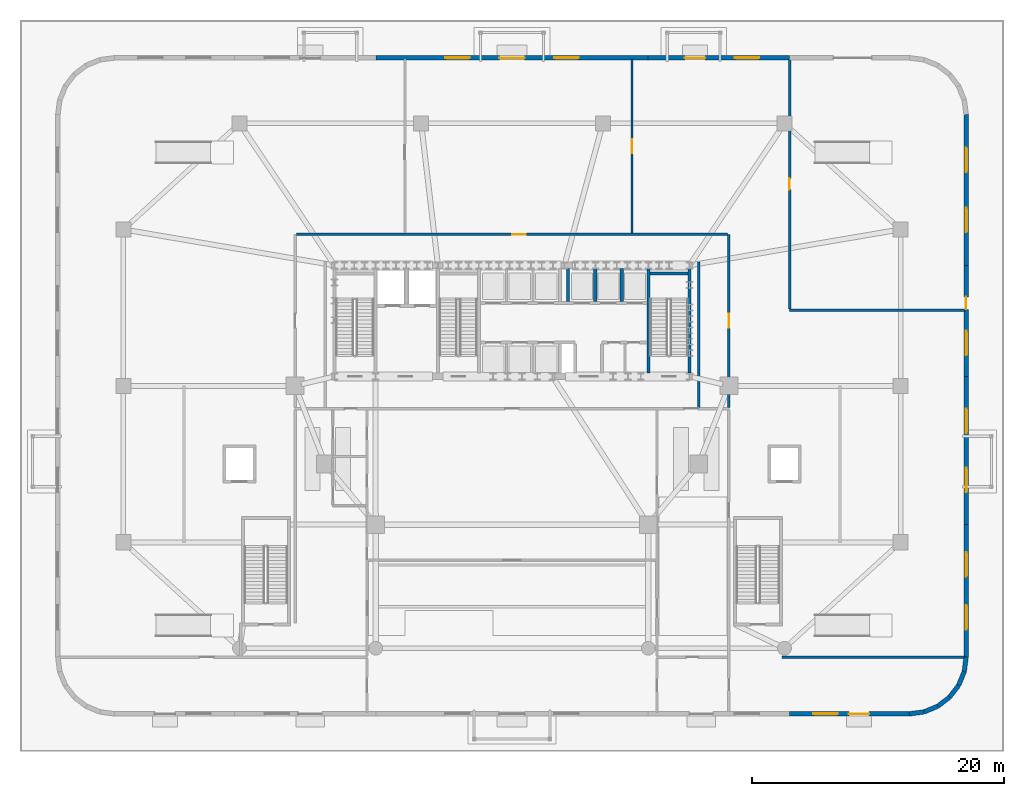
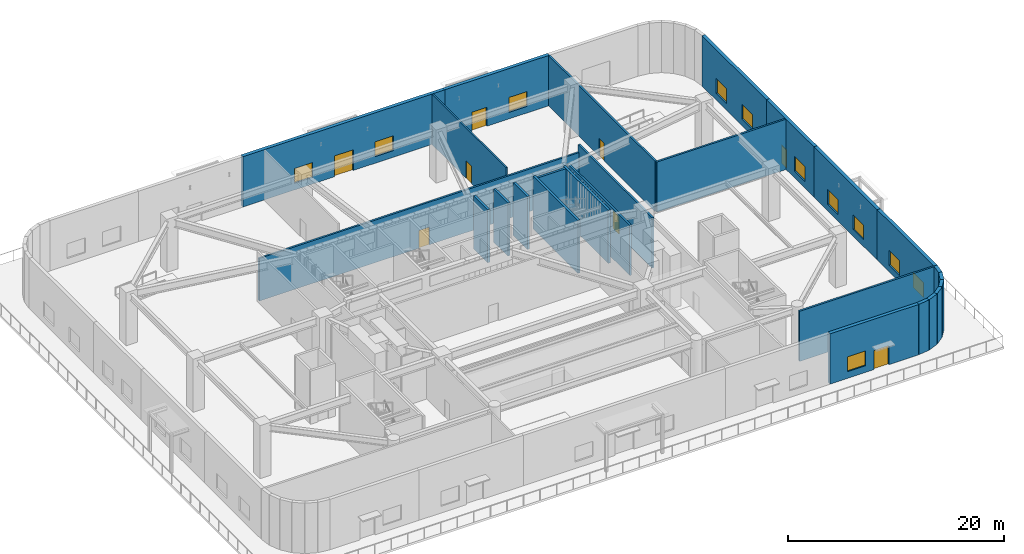
# One storey, part 11 of 21: 26 walls, 11 windows, 8 doors, 19 openings.
"""IFC4 building model written with IfcOpenShell, lengths in metres."""

from ifc_helpers import new_model, si_unit, direction, frame, frame_2d, origin, place, context, subcontext, project, spatial, rectangle, extrude, material, layer, layer_set, type_object, element, fill, save


model = new_model("IFC4")

# Units and contexts
model_context = context("Model", 3, precision=1e-05, world=origin(), true_north=direction((0.0, 1.0)))
body_context = subcontext(model_context, "Body", "Model", "MODEL_VIEW")
ifc_project = project(units=[si_unit("LENGTHUNIT", "METRE"), si_unit("AREAUNIT", "SQUARE_METRE"), si_unit("VOLUMEUNIT", "CUBIC_METRE"), si_unit("PLANEANGLEUNIT", "RADIAN"), si_unit("MASSUNIT", "GRAM", prefix="KILO")], contexts=[model_context])

# Site, building, storey
site_placement = place(None, origin())
site = spatial("IfcSite", under=ifc_project, at=site_placement, CompositionType="ELEMENT")
building_placement = place(site_placement, origin())
building = spatial("IfcBuilding", under=site, at=building_placement, Name="Haldorwick Loom Tower", CompositionType="ELEMENT")
storey_placement = place(building_placement, origin())
storey = spatial("IfcBuildingStorey", under=building, at=storey_placement, Name="L00", CompositionType="ELEMENT", Elevation=0.0)

# Walls
ifc_material_1 = material(Name="Pressed Clay Face Brick and Insulated Masonry Backup Assembly", Category="masonry")
ifc_layer_1 = layer(ifc_material_1, 0.360107421875, Name="Pressed Clay Face Brick and Insulated Masonry Backup Assembly", Category="masonry")
ifc_layer_set_1 = layer_set([ifc_layer_1], Name="Pressed Clay Face Brick and Insulated Masonry Backup Assembly")
wall_type_1 = type_object("IfcWallType", Name="ARC-WL-EXT360", PredefinedType="STANDARD", material=ifc_layer_set_1)
wall_1_placement = place(storey_placement, frame((67.5, 0.0, 0.0), z_axis=(0.0, 0.0, 1.0), x_axis=(0.991447928588, 0.130502892298, 0.0)))
element("IfcWall", 1, at=wall_1_placement, inside=storey, type_object=wall_type_1, Name="L00 Brick Pier and Spandrel Wall 1", PredefinedType="STANDARD", context=body_context, shape_type="SweptSolid", body=[
    extrude(rectangle(XDim=1.1748046875, YDim=0.360107421875, at=frame_2d((0.58740234375, 0.0))), origin(), (0.0, 0.0, 1.0), 5.699951171875),
])
wall_2_placement = place(storey_placement, frame((68.664794921875, 0.1533203125, 0.0), z_axis=(0.0, 0.0, 1.0), x_axis=(0.923892706888, 0.382651625058, 0.0)))
element("IfcWall", 2, at=wall_2_placement, inside=storey, type_object=wall_type_1, Name="L00 Brick Pier and Spandrel Wall 2", PredefinedType="STANDARD", context=body_context, shape_type="SweptSolid", body=[
    extrude(rectangle(XDim=1.174560546875, YDim=0.360107421875, at=frame_2d((0.58740234375, 0.0))), origin(), (0.0, 0.0, 1.0), 5.699951171875),
])
for number, where, z_axis, x_axis, name in (
    (3, (69.75, 0.602783203125, 0.0), (0.0, 0.0, 1.0), (0.79324162823, 0.60890698735, 0.0), "L00 Brick Pier and Spandrel Wall 3"),
    (4, (70.681884765625, 1.318115234375, 0.0), (0.0, 0.0, 1.0), (0.60890698735, 0.79324162823, 0.0), "L00 Brick Pier and Spandrel Wall 4"),
):
    element("IfcWall", number, at=place(storey_placement, frame(where, z_axis=z_axis, x_axis=x_axis)), inside=storey, type_object=wall_type_1, Name=name, PredefinedType="STANDARD", context=body_context, shape_type="SweptSolid", body=[
        extrude(rectangle(XDim=1.1748046875, YDim=0.360107421875, at=frame_2d((0.58740234375, 0.0))), origin(), (0.0, 0.0, 1.0), 5.699951171875),
    ])
wall_3_placement = place(storey_placement, frame((71.397216796875, 2.25, 0.0), z_axis=(0.0, 0.0, 1.0), x_axis=(0.382651625058, 0.923892706888, 0.0)))
element("IfcWall", 5, at=wall_3_placement, inside=storey, type_object=wall_type_1, Name="L00 Brick Pier and Spandrel Wall 5", PredefinedType="STANDARD", context=body_context, shape_type="SweptSolid", body=[
    extrude(rectangle(XDim=1.174560546875, YDim=0.360107421875, at=frame_2d((0.58740234375, 0.0))), origin(), (0.0, 0.0, 1.0), 5.699951171875),
])
wall_4_placement = place(storey_placement, frame((71.8466796875, 3.335205078125, 0.0), z_axis=(0.0, 0.0, 1.0), x_axis=(0.130502892298, 0.991447928588, 0.0)))
element("IfcWall", 6, at=wall_4_placement, inside=storey, type_object=wall_type_1, Name="L00 Brick Pier and Spandrel Wall 6", PredefinedType="STANDARD", context=body_context, shape_type="SweptSolid", body=[
    extrude(rectangle(XDim=1.1748046875, YDim=0.360107421875, at=frame_2d((0.58740234375, 0.0))), origin(), (0.0, 0.0, 1.0), 5.699951171875),
])

# Wall, openings, windows
wall_5_placement = place(storey_placement, frame((72.0, 4.5, 0.0), z_axis=(0.0, 0.0, 1.0), x_axis=(0.0, 1.0, 0.0)))
wall_5 = element("IfcWall", 7, at=wall_5_placement, inside=storey, type_object=wall_type_1, Name="L00 Brick Pier and Spandrel Wall 7", PredefinedType="STANDARD", context=body_context, shape_type="SweptSolid", body=[
    extrude(rectangle(XDim=10.5, YDim=0.360107421875, at=frame_2d((5.25, 0.0))), origin(), (0.0, 0.0, 1.0), 5.699951171875),
])
opening_1_placement = place(wall_5_placement, frame((2.175048828125, 0.0, 0.75)))
opening_1 = element("IfcOpeningElement", 8, at=opening_1_placement, cuts=wall_5, Name="Opening W-04B", PredefinedType="OPENING", context=body_context, shape_type="SweptSolid", body=[
    extrude(rectangle(XDim=1.949951171875, YDim=1.679931640625, at=frame_2d((0.97509765625, 0.83984375))), frame((0.0, 0.18994140625, 0.0), z_axis=(0.0, -1.0, 0.0), x_axis=(1.0, 0.0, 0.0)), (0.0, 0.0, 1.0), 0.380126953125),
])
opening_2_placement = place(wall_5_placement, frame((6.375, 0.0, 0.75)))
opening_2 = element("IfcOpeningElement", 9, at=opening_2_placement, cuts=wall_5, Name="Opening W-04B", PredefinedType="OPENING", context=body_context, shape_type="SweptSolid", body=[
    extrude(rectangle(XDim=1.949951171875, YDim=1.679931640625, at=frame_2d((0.97509765625, 0.83984375))), frame((0.0, 0.18994140625, 0.0), z_axis=(0.0, -1.0, 0.0), x_axis=(1.0, 0.0, 0.0)), (0.0, 0.0, 1.0), 0.380126953125),
])
ifc_material_2 = material(Name="Triple-Glazed Low-E Argon Insulated Glazing Unit", Category="glass")
window_type = type_object("IfcWindowType", Name="ARC-WIN-W195", PartitioningType="SINGLE_PANEL", PredefinedType="WINDOW", material=ifc_material_2)
window_1_placement = place(opening_1_placement, origin())
window_1 = element("IfcWindow", 10, at=window_1_placement, inside=storey, type_object=window_type, Name="L00 Deep-Set Zone 7A Window 7", OverallHeight=1.679931640625, OverallWidth=1.949951171875, PartitioningType="SINGLE_PANEL", PredefinedType="WINDOW", context=body_context, shape_type="SweptSolid", body=[
    extrude(rectangle(XDim=1.949951171875, YDim=1.679931640625, at=frame_2d((0.97509765625, 0.83984375))), frame((0.0, 0.030029296875, 0.0), z_axis=(0.0, -1.0, 0.0), x_axis=(1.0, 0.0, 0.0)), (0.0, 0.0, 1.0), 0.06005859375),
])
fill(opening_1, window_1)
window_2_placement = place(opening_2_placement, origin())
window_2 = element("IfcWindow", 11, at=window_2_placement, inside=storey, type_object=window_type, Name="L00 Deep-Set Zone 7A Window 7", OverallHeight=1.679931640625, OverallWidth=1.949951171875, PartitioningType="SINGLE_PANEL", PredefinedType="WINDOW", context=body_context, shape_type="SweptSolid", body=[
    extrude(rectangle(XDim=1.949951171875, YDim=1.679931640625, at=frame_2d((0.97509765625, 0.83984375))), frame((0.0, 0.030029296875, 0.0), z_axis=(0.0, -1.0, 0.0), x_axis=(1.0, 0.0, 0.0)), (0.0, 0.0, 1.0), 0.06005859375),
])
fill(opening_2, window_2)

wall_6_placement = place(storey_placement, frame((72.0, 15.0, 0.0), z_axis=(0.0, 0.0, 1.0), x_axis=(0.0, 1.0, 0.0)))
wall_6 = element("IfcWall", 12, at=wall_6_placement, inside=storey, type_object=wall_type_1, Name="L00 Brick Pier and Spandrel Wall 8", PredefinedType="STANDARD", context=body_context, shape_type="SweptSolid", body=[
    extrude(rectangle(XDim=11.75, YDim=0.360107421875, at=frame_2d((5.875, 0.0))), origin(), (0.0, 0.0, 1.0), 5.699951171875),
])
opening_3_placement = place(wall_6_placement, frame((2.550048828125, 0.0, 0.75)))
opening_3 = element("IfcOpeningElement", 13, at=opening_3_placement, cuts=wall_6, Name="Opening W-04B", PredefinedType="OPENING", context=body_context, shape_type="SweptSolid", body=[
    extrude(rectangle(XDim=1.949951171875, YDim=1.679931640625, at=frame_2d((0.97509765625, 0.83984375))), frame((0.0, 0.18994140625, 0.0), z_axis=(0.0, -1.0, 0.0), x_axis=(1.0, 0.0, 0.0)), (0.0, 0.0, 1.0), 0.380126953125),
])
opening_4_placement = place(wall_6_placement, frame((7.25, 0.0, 0.75)))
opening_4 = element("IfcOpeningElement", 14, at=opening_4_placement, cuts=wall_6, Name="Opening W-04B", PredefinedType="OPENING", context=body_context, shape_type="SweptSolid", body=[
    extrude(rectangle(XDim=1.949951171875, YDim=1.679931640625, at=frame_2d((0.97509765625, 0.83984375))), frame((0.0, 0.18994140625, 0.0), z_axis=(0.0, -1.0, 0.0), x_axis=(1.0, 0.0, 0.0)), (0.0, 0.0, 1.0), 0.380126953125),
])
window_3_placement = place(opening_3_placement, origin())
window_3 = element("IfcWindow", 15, at=window_3_placement, inside=storey, type_object=window_type, Name="L00 Deep-Set Zone 7A Window 8", OverallHeight=1.679931640625, OverallWidth=1.949951171875, PartitioningType="SINGLE_PANEL", PredefinedType="WINDOW", context=body_context, shape_type="SweptSolid", body=[
    extrude(rectangle(XDim=1.949951171875, YDim=1.679931640625, at=frame_2d((0.97509765625, 0.83984375))), frame((0.0, 0.030029296875, 0.0), z_axis=(0.0, -1.0, 0.0), x_axis=(1.0, 0.0, 0.0)), (0.0, 0.0, 1.0), 0.06005859375),
])
fill(opening_3, window_3)
window_4_placement = place(opening_4_placement, origin())
window_4 = element("IfcWindow", 16, at=window_4_placement, inside=storey, type_object=window_type, Name="L00 Deep-Set Zone 7A Window 8", OverallHeight=1.679931640625, OverallWidth=1.949951171875, PartitioningType="SINGLE_PANEL", PredefinedType="WINDOW", context=body_context, shape_type="SweptSolid", body=[
    extrude(rectangle(XDim=1.949951171875, YDim=1.679931640625, at=frame_2d((0.97509765625, 0.83984375))), frame((0.0, 0.030029296875, 0.0), z_axis=(0.0, -1.0, 0.0), x_axis=(1.0, 0.0, 0.0)), (0.0, 0.0, 1.0), 0.06005859375),
])
fill(opening_4, window_4)

# Wall, openings, door, window
wall_7_placement = place(storey_placement, frame((72.0, 26.75, 0.0), z_axis=(0.0, 0.0, 1.0), x_axis=(0.0, 1.0, 0.0)))
wall_7 = element("IfcWall", 17, at=wall_7_placement, inside=storey, type_object=wall_type_1, Name="L00 Brick Pier and Spandrel Wall 9", PredefinedType="STANDARD", context=body_context, shape_type="SweptSolid", body=[
    extrude(rectangle(XDim=8.800048828125, YDim=0.360107421875, at=frame_2d((4.39990234375, 0.0))), origin(), (0.0, 0.0, 1.0), 5.699951171875),
])
opening_5_placement = place(wall_7_placement, frame((5.30615234375, 0.0, 0.0)))
opening_5 = element("IfcOpeningElement", 18, at=opening_5_placement, cuts=wall_7, Name="Opening D-BL10", PredefinedType="OPENING", context=body_context, shape_type="SweptSolid", body=[
    extrude(rectangle(XDim=1.0, YDim=2.0400390625, at=frame_2d((0.5, 1.02001953125))), frame((0.0, 0.18994140625, 0.0), z_axis=(0.0, -1.0, 0.0), x_axis=(1.0, 0.0, 0.0)), (0.0, 0.0, 1.0), 0.380126953125),
])
opening_6_placement = place(wall_7_placement, frame((1.6650390625, 0.0, 0.75)))
opening_6 = element("IfcOpeningElement", 19, at=opening_6_placement, cuts=wall_7, Name="Opening W-04B", PredefinedType="OPENING", context=body_context, shape_type="SweptSolid", body=[
    extrude(rectangle(XDim=1.949951171875, YDim=1.679931640625, at=frame_2d((0.97509765625, 0.83984375))), frame((0.0, 0.18994140625, 0.0), z_axis=(0.0, -1.0, 0.0), x_axis=(1.0, 0.0, 0.0)), (0.0, 0.0, 1.0), 0.380126953125),
])
ifc_material_3 = material(Name="Thermally Broken Anodized Aluminium Curtain Wall Framing", Category="aluminium")
door_type_1 = type_object("IfcDoorType", Name="ARC-DR-BAL100", OperationType="NOTDEFINED", PredefinedType="DOOR", material=ifc_material_3)
door_1_placement = place(opening_5_placement, origin())
door_1 = element("IfcDoor", 20, at=door_1_placement, inside=storey, type_object=door_type_1, Name="L00 Outdoor Terrace Door SLB-L00-APRON", OperationType="SINGLE_SWING_LEFT", OverallHeight=2.0400390625, OverallWidth=1.0, PredefinedType="DOOR", context=body_context, shape_type="SweptSolid", body=[
    extrude(rectangle(XDim=1.0, YDim=2.0400390625, at=frame_2d((0.5, 1.02001953125))), frame((0.0, 0.02490234375, 0.0), z_axis=(0.0, -1.0, 0.0), x_axis=(1.0, 0.0, 0.0)), (0.0, 0.0, 1.0), 0.050048828125),
])
fill(opening_5, door_1)
window_5_placement = place(opening_6_placement, origin())
window_5 = element("IfcWindow", 21, at=window_5_placement, inside=storey, type_object=window_type, Name="L00 Deep-Set Zone 7A Window 9", OverallHeight=1.679931640625, OverallWidth=1.949951171875, PartitioningType="SINGLE_PANEL", PredefinedType="WINDOW", context=body_context, shape_type="SweptSolid", body=[
    extrude(rectangle(XDim=1.949951171875, YDim=1.679931640625, at=frame_2d((0.97509765625, 0.83984375))), frame((0.0, 0.030029296875, 0.0), z_axis=(0.0, -1.0, 0.0), x_axis=(1.0, 0.0, 0.0)), (0.0, 0.0, 1.0), 0.06005859375),
])
fill(opening_6, window_5)

# Wall, openings, windows
wall_8_placement = place(storey_placement, frame((72.0, 35.550048828125, 0.0), z_axis=(0.0, 0.0, 1.0), x_axis=(0.0, 1.0, 0.0)))
wall_8 = element("IfcWall", 22, at=wall_8_placement, inside=storey, type_object=wall_type_1, Name="L00 Brick Pier and Spandrel Wall 10", PredefinedType="STANDARD", context=body_context, shape_type="SweptSolid", body=[
    extrude(rectangle(XDim=11.949951171875, YDim=0.360107421875, at=frame_2d((5.97509765625, 0.0))), origin(), (0.0, 0.0, 1.0), 5.699951171875),
])
opening_7_placement = place(wall_8_placement, frame((2.610107421875, 0.0, 0.75)))
opening_7 = element("IfcOpeningElement", 23, at=opening_7_placement, cuts=wall_8, Name="Opening W-04B", PredefinedType="OPENING", context=body_context, shape_type="SweptSolid", body=[
    extrude(rectangle(XDim=1.949951171875, YDim=1.679931640625, at=frame_2d((0.97509765625, 0.83984375))), frame((0.0, 0.18994140625, 0.0), z_axis=(0.0, -1.0, 0.0), x_axis=(1.0, 0.0, 0.0)), (0.0, 0.0, 1.0), 0.380126953125),
])
opening_8_placement = place(wall_8_placement, frame((7.389892578125, 0.0, 0.75)))
opening_8 = element("IfcOpeningElement", 24, at=opening_8_placement, cuts=wall_8, Name="Opening W-04B", PredefinedType="OPENING", context=body_context, shape_type="SweptSolid", body=[
    extrude(rectangle(XDim=1.949951171875, YDim=1.679931640625, at=frame_2d((0.97509765625, 0.83984375))), frame((0.0, 0.18994140625, 0.0), z_axis=(0.0, -1.0, 0.0), x_axis=(1.0, 0.0, 0.0)), (0.0, 0.0, 1.0), 0.380126953125),
])
window_6_placement = place(opening_7_placement, origin())
window_6 = element("IfcWindow", 25, at=window_6_placement, inside=storey, type_object=window_type, Name="L00 Deep-Set Zone 7A Window 10", OverallHeight=1.679931640625, OverallWidth=1.949951171875, PartitioningType="SINGLE_PANEL", PredefinedType="WINDOW", context=body_context, shape_type="SweptSolid", body=[
    extrude(rectangle(XDim=1.949951171875, YDim=1.679931640625, at=frame_2d((0.97509765625, 0.83984375))), frame((0.0, 0.030029296875, 0.0), z_axis=(0.0, -1.0, 0.0), x_axis=(1.0, 0.0, 0.0)), (0.0, 0.0, 1.0), 0.06005859375),
])
fill(opening_7, window_6)
window_7_placement = place(opening_8_placement, origin())
window_7 = element("IfcWindow", 26, at=window_7_placement, inside=storey, type_object=window_type, Name="L00 Deep-Set Zone 7A Window 10", OverallHeight=1.679931640625, OverallWidth=1.949951171875, PartitioningType="SINGLE_PANEL", PredefinedType="WINDOW", context=body_context, shape_type="SweptSolid", body=[
    extrude(rectangle(XDim=1.949951171875, YDim=1.679931640625, at=frame_2d((0.97509765625, 0.83984375))), frame((0.0, 0.030029296875, 0.0), z_axis=(0.0, -1.0, 0.0), x_axis=(1.0, 0.0, 0.0)), (0.0, 0.0, 1.0), 0.06005859375),
])
fill(opening_8, window_7)

# Wall, openings, door, window
wall_9_placement = place(storey_placement, frame((58.0, 52.0, 0.0), z_axis=(0.0, 0.0, 1.0), x_axis=(-1.0, 0.0, 0.0)))
wall_9 = element("IfcWall", 27, at=wall_9_placement, inside=storey, type_object=wall_type_1, Name="L00 Brick Pier and Spandrel Wall 18", PredefinedType="STANDARD", context=body_context, shape_type="SweptSolid", body=[
    extrude(rectangle(XDim=11.199951171875, YDim=0.360107421875, at=frame_2d((5.60009765625, 0.0))), origin(), (0.0, 0.0, 1.0), 5.699951171875),
])
opening_9_placement = place(wall_9_placement, frame((6.699951171875, 0.0, 0.0)))
opening_9 = element("IfcOpeningElement", 28, at=opening_9_placement, cuts=wall_9, Name="Opening D-EX16", PredefinedType="OPENING", context=body_context, shape_type="SweptSolid", body=[
    extrude(rectangle(XDim=1.60009765625, YDim=2.14990234375, at=frame_2d((0.800048828125, 1.074951171875))), frame((0.0, 0.18994140625, 0.0), z_axis=(0.0, -1.0, 0.0), x_axis=(1.0, 0.0, 0.0)), (0.0, 0.0, 1.0), 0.380126953125),
])
opening_10_placement = place(wall_9_placement, frame((2.385009765625, 0.0, 0.75)))
opening_10 = element("IfcOpeningElement", 29, at=opening_10_placement, cuts=wall_9, Name="Opening W-04B", PredefinedType="OPENING", context=body_context, shape_type="SweptSolid", body=[
    extrude(rectangle(XDim=1.949951171875, YDim=1.679931640625, at=frame_2d((0.97509765625, 0.83984375))), frame((0.0, 0.18994140625, 0.0), z_axis=(0.0, -1.0, 0.0), x_axis=(1.0, 0.0, 0.0)), (0.0, 0.0, 1.0), 0.380126953125),
])
door_type_2 = type_object("IfcDoorType", Name="ARC-DR-EXT-DBL", OperationType="DOUBLE_DOOR_SINGLE_SWING", PredefinedType="DOOR", material=ifc_material_3)
door_2_placement = place(opening_9_placement, frame((1.60009765625, 0.0, 0.0), z_axis=(0.0, 0.0, 1.0), x_axis=(-1.0, 0.0, 0.0)))
door_2 = element("IfcDoor", 30, at=door_2_placement, inside=storey, type_object=door_type_2, Name="L00 Grade Exit Door EX-08", OperationType="SINGLE_SWING_LEFT", OverallHeight=2.14990234375, OverallWidth=1.60009765625, PredefinedType="DOOR", context=body_context, shape_type="SweptSolid", body=[
    extrude(rectangle(XDim=1.60009765625, YDim=2.14990234375, at=frame_2d((0.800048828125, 1.074951171875))), frame((0.0, 0.02490234375, 0.0), z_axis=(0.0, -1.0, 0.0), x_axis=(1.0, 0.0, 0.0)), (0.0, 0.0, 1.0), 0.050048828125),
])
fill(opening_9, door_2)
window_8_placement = place(opening_10_placement, origin())
window_8 = element("IfcWindow", 31, at=window_8_placement, inside=storey, type_object=window_type, Name="L00 Deep-Set Zone 7A Window 18", OverallHeight=1.679931640625, OverallWidth=1.949951171875, PartitioningType="SINGLE_PANEL", PredefinedType="WINDOW", context=body_context, shape_type="SweptSolid", body=[
    extrude(rectangle(XDim=1.949951171875, YDim=1.679931640625, at=frame_2d((0.97509765625, 0.83984375))), frame((0.0, 0.030029296875, 0.0), z_axis=(0.0, -1.0, 0.0), x_axis=(1.0, 0.0, 0.0)), (0.0, 0.0, 1.0), 0.06005859375),
])
fill(opening_10, window_8)

# Wall, openings, door, windows
wall_10_placement = place(storey_placement, frame((46.800048828125, 52.0, 0.0), z_axis=(0.0, 0.0, 1.0), x_axis=(-1.0, 0.0, 0.0)))
wall_10 = element("IfcWall", 32, at=wall_10_placement, inside=storey, type_object=wall_type_1, Name="L00 Brick Pier and Spandrel Wall 19", PredefinedType="STANDARD", context=body_context, shape_type="SweptSolid", body=[
    extrude(rectangle(XDim=21.60009765625, YDim=0.360107421875, at=frame_2d((10.800048828125, 0.0))), origin(), (0.0, 0.0, 1.0), 5.699951171875),
])
opening_11_placement = place(wall_10_placement, frame((9.800048828125, 0.0, 0.0)))
opening_11 = element("IfcOpeningElement", 33, at=opening_11_placement, cuts=wall_10, Name="Opening D-EX20", PredefinedType="OPENING", context=body_context, shape_type="SweptSolid", body=[
    extrude(rectangle(XDim=2.0, YDim=2.35009765625, at=frame_2d((1.0, 1.175048828125))), frame((0.0, 0.18994140625, 0.0), z_axis=(0.0, -1.0, 0.0), x_axis=(1.0, 0.0, 0.0)), (0.0, 0.0, 1.0), 0.380126953125),
])
opening_12_placement = place(wall_10_placement, frame((5.5048828125, 0.0, 0.75)))
opening_12 = element("IfcOpeningElement", 34, at=opening_12_placement, cuts=wall_10, Name="Opening W-04B", PredefinedType="OPENING", context=body_context, shape_type="SweptSolid", body=[
    extrude(rectangle(XDim=1.949951171875, YDim=1.679931640625, at=frame_2d((0.97509765625, 0.83984375))), frame((0.0, 0.18994140625, 0.0), z_axis=(0.0, -1.0, 0.0), x_axis=(1.0, 0.0, 0.0)), (0.0, 0.0, 1.0), 0.380126953125),
])
opening_13_placement = place(wall_10_placement, frame((14.14501953125, 0.0, 0.75)))
opening_13 = element("IfcOpeningElement", 35, at=opening_13_placement, cuts=wall_10, Name="Opening W-04B", PredefinedType="OPENING", context=body_context, shape_type="SweptSolid", body=[
    extrude(rectangle(XDim=1.949951171875, YDim=1.679931640625, at=frame_2d((0.97509765625, 0.83984375))), frame((0.0, 0.18994140625, 0.0), z_axis=(0.0, -1.0, 0.0), x_axis=(1.0, 0.0, 0.0)), (0.0, 0.0, 1.0), 0.380126953125),
])
door_type_3 = type_object("IfcDoorType", Name="ARC-DR-EXT-CONC", OperationType="DOUBLE_DOOR_SINGLE_SWING", PredefinedType="DOOR", material=ifc_material_3)
door_3_placement = place(opening_11_placement, frame((2.0, 0.0, 0.0), z_axis=(0.0, 0.0, 1.0), x_axis=(-1.0, 0.0, 0.0)))
door_3 = element("IfcDoor", 36, at=door_3_placement, inside=storey, type_object=door_type_3, Name="L00 Grade Exit Door EX-06", OperationType="SINGLE_SWING_LEFT", OverallHeight=2.35009765625, OverallWidth=2.0, PredefinedType="DOOR", context=body_context, shape_type="SweptSolid", body=[
    extrude(rectangle(XDim=2.0, YDim=2.35009765625, at=frame_2d((1.0, 1.175048828125))), frame((0.0, 0.02490234375, 0.0), z_axis=(0.0, -1.0, 0.0), x_axis=(1.0, 0.0, 0.0)), (0.0, 0.0, 1.0), 0.050048828125),
])
fill(opening_11, door_3)
window_9_placement = place(opening_12_placement, origin())
window_9 = element("IfcWindow", 37, at=window_9_placement, inside=storey, type_object=window_type, Name="L00 Deep-Set Zone 7A Window 19", OverallHeight=1.679931640625, OverallWidth=1.949951171875, PartitioningType="SINGLE_PANEL", PredefinedType="WINDOW", context=body_context, shape_type="SweptSolid", body=[
    extrude(rectangle(XDim=1.949951171875, YDim=1.679931640625, at=frame_2d((0.97509765625, 0.83984375))), frame((0.0, 0.030029296875, 0.0), z_axis=(0.0, -1.0, 0.0), x_axis=(1.0, 0.0, 0.0)), (0.0, 0.0, 1.0), 0.06005859375),
])
fill(opening_12, window_9)
window_10_placement = place(opening_13_placement, origin())
window_10 = element("IfcWindow", 38, at=window_10_placement, inside=storey, type_object=window_type, Name="L00 Deep-Set Zone 7A Window 19", OverallHeight=1.679931640625, OverallWidth=1.949951171875, PartitioningType="SINGLE_PANEL", PredefinedType="WINDOW", context=body_context, shape_type="SweptSolid", body=[
    extrude(rectangle(XDim=1.949951171875, YDim=1.679931640625, at=frame_2d((0.97509765625, 0.83984375))), frame((0.0, 0.030029296875, 0.0), z_axis=(0.0, -1.0, 0.0), x_axis=(1.0, 0.0, 0.0)), (0.0, 0.0, 1.0), 0.06005859375),
])
fill(opening_13, window_10)

# Wall, openings, door, window
wall_11_placement = place(storey_placement, frame((58.0, 0.0, 0.0), z_axis=(0.0, 0.0, 1.0), x_axis=(1.0, 0.0, 0.0)))
wall_11 = element("IfcWall", 39, at=wall_11_placement, inside=storey, type_object=wall_type_1, Name="L00 Brick Pier and Spandrel Wall 42", PredefinedType="STANDARD", context=body_context, shape_type="SweptSolid", body=[
    extrude(rectangle(XDim=9.5, YDim=0.360107421875, at=frame_2d((4.75, 0.0))), origin(), (0.0, 0.0, 1.0), 5.699951171875),
])
opening_14_placement = place(wall_11_placement, frame((4.699951171875, 0.0, 0.0)))
opening_14 = element("IfcOpeningElement", 40, at=opening_14_placement, cuts=wall_11, Name="Opening D-EX16", PredefinedType="OPENING", context=body_context, shape_type="SweptSolid", body=[
    extrude(rectangle(XDim=1.60009765625, YDim=2.14990234375, at=frame_2d((0.800048828125, 1.074951171875))), frame((0.0, 0.18994140625, 0.0), z_axis=(0.0, -1.0, 0.0), x_axis=(1.0, 0.0, 0.0)), (0.0, 0.0, 1.0), 0.380126953125),
])
opening_15_placement = place(wall_11_placement, frame((1.875, 0.0, 0.75)))
opening_15 = element("IfcOpeningElement", 41, at=opening_15_placement, cuts=wall_11, Name="Opening W-04B", PredefinedType="OPENING", context=body_context, shape_type="SweptSolid", body=[
    extrude(rectangle(XDim=1.949951171875, YDim=1.679931640625, at=frame_2d((0.97509765625, 0.83984375))), frame((0.0, 0.18994140625, 0.0), z_axis=(0.0, -1.0, 0.0), x_axis=(1.0, 0.0, 0.0)), (0.0, 0.0, 1.0), 0.380126953125),
])
door_4_placement = place(opening_14_placement, frame((1.60009765625, 0.0, 0.0), z_axis=(0.0, 0.0, 1.0), x_axis=(-1.0, 0.0, 0.0)))
door_4 = element("IfcDoor", 42, at=door_4_placement, inside=storey, type_object=door_type_2, Name="L00 Grade Exit Door EX-05", OperationType="SINGLE_SWING_LEFT", OverallHeight=2.14990234375, OverallWidth=1.60009765625, PredefinedType="DOOR", context=body_context, shape_type="SweptSolid", body=[
    extrude(rectangle(XDim=1.60009765625, YDim=2.14990234375, at=frame_2d((0.800048828125, 1.074951171875))), frame((0.0, 0.02490234375, 0.0), z_axis=(0.0, -1.0, 0.0), x_axis=(1.0, 0.0, 0.0)), (0.0, 0.0, 1.0), 0.050048828125),
])
fill(opening_14, door_4)
window_11_placement = place(opening_15_placement, origin())
window_11 = element("IfcWindow", 43, at=window_11_placement, inside=storey, type_object=window_type, Name="L00 Deep-Set Zone 7A Window 42", OverallHeight=1.679931640625, OverallWidth=1.949951171875, PartitioningType="SINGLE_PANEL", PredefinedType="WINDOW", context=body_context, shape_type="SweptSolid", body=[
    extrude(rectangle(XDim=1.949951171875, YDim=1.679931640625, at=frame_2d((0.97509765625, 0.83984375))), frame((0.0, 0.030029296875, 0.0), z_axis=(0.0, -1.0, 0.0), x_axis=(1.0, 0.0, 0.0)), (0.0, 0.0, 1.0), 0.06005859375),
])
fill(opening_15, window_11)

# Wall, opening, door
ifc_material_4 = material(Name="Fire-Rated Type X Gypsum Stud Assembly EI 60")
ifc_layer_2 = layer(ifc_material_4, 0.159912109375, Name="Fire-Rated Type X Gypsum Stud Assembly EI 60")
ifc_layer_set_2 = layer_set([ifc_layer_2], Name="Fire-Rated Type X Gypsum Stud Assembly EI 60")
wall_type_2 = type_object("IfcWallType", Name="ARC-WL-FIRE160", PredefinedType="PARTITIONING", material=ifc_layer_set_2)
wall_12_placement = place(storey_placement, frame((45.5, 38.10302734375, 0.0), z_axis=(0.0, 0.0, 1.0), x_axis=(0.0, 1.0, 0.0)))
wall_12 = element("IfcWall", 44, at=wall_12_placement, inside=storey, type_object=wall_type_2, Name="L00 Podium Partition L00-NE1", PredefinedType="PARTITIONING", context=body_context, shape_type="SweptSolid", body=[
    extrude(rectangle(XDim=13.796875, YDim=0.159912109375, at=frame_2d((6.8984375, 0.0))), origin(), (0.0, 0.0, 1.0), 5.68505859375),
])
opening_16_placement = place(wall_12_placement, frame((6.348388671875, 0.0, 0.0)))
opening_16 = element("IfcOpeningElement", 45, at=opening_16_placement, cuts=wall_12, Name="Opening D-FD90", PredefinedType="OPENING", context=body_context, shape_type="SweptSolid", body=[
    extrude(rectangle(XDim=1.10009765625, YDim=2.0, at=frame_2d((0.550048828125, 1.0))), frame((0.0, 0.08984375, 0.0), z_axis=(0.0, -1.0, 0.0), x_axis=(1.0, 0.0, 0.0)), (0.0, 0.0, 1.0), 0.179931640625),
])
ifc_material_5 = material(Name="Hollow Steel Fire Door Assembly", Category="steel")
door_type_4 = type_object("IfcDoorType", Name="ARC-DR-FD90", OperationType="NOTDEFINED", PredefinedType="DOOR", material=ifc_material_5)
door_5_placement = place(opening_16_placement, origin())
door_5 = element("IfcDoor", 46, at=door_5_placement, inside=storey, type_object=door_type_4, Name="L00 North Transit Plaza Concourse to East Podium Exit Passageway Door", OperationType="SINGLE_SWING_LEFT", OverallHeight=2.0, OverallWidth=1.10009765625, PredefinedType="DOOR", context=body_context, shape_type="SweptSolid", body=[
    extrude(rectangle(XDim=1.10009765625, YDim=2.0, at=frame_2d((0.550048828125, 1.0))), frame((0.0, 0.02490234375, 0.0), z_axis=(0.0, -1.0, 0.0), x_axis=(1.0, 0.0, 0.0)), (0.0, 0.0, 1.0), 0.050048828125),
])
fill(opening_16, door_5)

ifc_material_6 = material(Name="Fire-Rated Type X Gypsum Stud Assembly EI 120")
ifc_layer_3 = layer(ifc_material_6, 0.199951171875, Name="Fire-Rated Type X Gypsum Stud Assembly EI 120")
ifc_layer_set_3 = layer_set([ifc_layer_3], Name="Fire-Rated Type X Gypsum Stud Assembly EI 120")
wall_type_3 = type_object("IfcWallType", Name="ARC-WL-FIRE200", PredefinedType="PARTITIONING", material=ifc_layer_set_3)
wall_13_placement = place(storey_placement, frame((53.199951171875, 24.302978515625, 0.0), z_axis=(0.0, 0.0, 1.0), x_axis=(0.0, 1.0, 0.0)))
wall_13 = element("IfcWall", 47, at=wall_13_placement, inside=storey, type_object=wall_type_3, Name="L00 Podium Partition L00-EPE1", PredefinedType="PARTITIONING", context=body_context, shape_type="SweptSolid", body=[
    extrude(rectangle(XDim=13.697021484375, YDim=0.199951171875, at=frame_2d((6.8486328125, 0.0))), origin(), (0.0, 0.0, 1.0), 5.68505859375),
])
opening_17_placement = place(wall_13_placement, frame((6.298583984375, 0.0, 0.0)))
opening_17 = element("IfcOpeningElement", 48, at=opening_17_placement, cuts=wall_13, Name="Opening D-FD90", PredefinedType="OPENING", context=body_context, shape_type="SweptSolid", body=[
    extrude(rectangle(XDim=1.10009765625, YDim=2.0, at=frame_2d((0.550048828125, 1.0))), frame((0.0, 0.10986328125, 0.0), z_axis=(0.0, -1.0, 0.0), x_axis=(1.0, 0.0, 0.0)), (0.0, 0.0, 1.0), 0.219970703125),
])
door_6_placement = place(opening_17_placement, origin())
door_6 = element("IfcDoor", 49, at=door_6_placement, inside=storey, type_object=door_type_4, Name="L00 Protected Core Exit Passageway to East Podium Exit Passageway Door", OperationType="SINGLE_SWING_LEFT", OverallHeight=2.0, OverallWidth=1.10009765625, PredefinedType="DOOR", context=body_context, shape_type="SweptSolid", body=[
    extrude(rectangle(XDim=1.10009765625, YDim=2.0, at=frame_2d((0.550048828125, 1.0))), frame((0.0, 0.02490234375, 0.0), z_axis=(0.0, -1.0, 0.0), x_axis=(1.0, 0.0, 0.0)), (0.0, 0.0, 1.0), 0.050048828125),
])
fill(opening_17, door_6)

# Wall
wall_14_placement = place(storey_placement, frame((50.800048828125, 24.302978515625, 0.0), z_axis=(0.0, 0.0, 1.0), x_axis=(0.0, 1.0, 0.0)))
element("IfcWall", 50, at=wall_14_placement, inside=storey, type_object=wall_type_3, Name="L00 Podium Partition L00-EPE2", PredefinedType="PARTITIONING", context=body_context, shape_type="SweptSolid", body=[
    extrude(rectangle(XDim=11.4970703125, YDim=0.199951171875, at=frame_2d((5.74853515625, 0.0))), origin(), (0.0, 0.0, 1.0), 5.68505859375),
])

# Wall, opening, door
wall_15_placement = place(storey_placement, frame((18.903076171875, 38.0, 0.0), z_axis=(0.0, 0.0, 1.0), x_axis=(1.0, 0.0, 0.0)))
wall_15 = element("IfcWall", 51, at=wall_15_placement, inside=storey, type_object=wall_type_3, Name="L00 Podium Partition L00-EPN", PredefinedType="PARTITIONING", context=body_context, shape_type="SweptSolid", body=[
    extrude(rectangle(XDim=34.19384765625, YDim=0.199951171875, at=frame_2d((17.096923828125, 0.0))), origin(), (0.0, 0.0, 1.0), 4.820068359375),
])
opening_18_placement = place(wall_15_placement, frame((17.098388671875, 0.0, 0.0)))
opening_18 = element("IfcOpeningElement", 52, at=opening_18_placement, cuts=wall_15, Name="Opening D-FD90", PredefinedType="OPENING", context=body_context, shape_type="SweptSolid", body=[
    extrude(rectangle(XDim=1.10009765625, YDim=2.0, at=frame_2d((0.550048828125, 1.0))), frame((0.0, 0.10986328125, 0.0), z_axis=(0.0, -1.0, 0.0), x_axis=(1.0, 0.0, 0.0)), (0.0, 0.0, 1.0), 0.219970703125),
])
door_7_placement = place(opening_18_placement, origin())
door_7 = element("IfcDoor", 53, at=door_7_placement, inside=storey, type_object=door_type_4, Name="L00 North Transit Plaza Concourse to Protected Core Exit Passageway Door", OperationType="SINGLE_SWING_LEFT", OverallHeight=2.0, OverallWidth=1.10009765625, PredefinedType="DOOR", context=body_context, shape_type="SweptSolid", body=[
    extrude(rectangle(XDim=1.10009765625, YDim=2.0, at=frame_2d((0.550048828125, 1.0))), frame((0.0, 0.02490234375, 0.0), z_axis=(0.0, -1.0, 0.0), x_axis=(1.0, 0.0, 0.0)), (0.0, 0.0, 1.0), 0.050048828125),
])
fill(opening_18, door_7)

# Walls
wall_16_placement = place(storey_placement, frame((57.39990234375, 4.5, 0.0), z_axis=(0.0, 0.0, 1.0), x_axis=(1.0, 0.0, 0.0)))
element("IfcWall", 54, at=wall_16_placement, inside=storey, type_object=wall_type_3, Name="L00 Podium Partition L00-EPSE", PredefinedType="PARTITIONING", context=body_context, shape_type="SweptSolid", body=[
    extrude(rectangle(XDim=14.499267578125, YDim=0.199951171875, at=frame_2d((7.24951171875, 0.0))), origin(), (0.0, 0.0, 1.0), 5.68505859375),
])
wall_17_placement = place(storey_placement, frame((58.0, 32.0, 0.0), z_axis=(0.0, 0.0, 1.0), x_axis=(1.0, 0.0, 0.0)))
element("IfcWall", 55, at=wall_17_placement, inside=storey, type_object=wall_type_3, Name="L00 Podium Partition L00-LD1", PredefinedType="PARTITIONING", context=body_context, shape_type="SweptSolid", body=[
    extrude(rectangle(XDim=13.89990234375, YDim=0.199951171875, at=frame_2d((6.949951171875, 0.0))), origin(), (0.0, 0.0, 1.0), 5.68505859375),
])

# Wall, opening, door
wall_18_placement = place(storey_placement, frame((58.0, 32.10302734375, 0.0), z_axis=(0.0, 0.0, 1.0), x_axis=(0.0, 1.0, 0.0)))
wall_18 = element("IfcWall", 56, at=wall_18_placement, inside=storey, type_object=wall_type_3, Name="L00 Podium Partition L00-LD2", PredefinedType="PARTITIONING", context=body_context, shape_type="SweptSolid", body=[
    extrude(rectangle(XDim=19.796875, YDim=0.199951171875, at=frame_2d((9.8984375, 0.0))), origin(), (0.0, 0.0, 1.0), 5.68505859375),
])
opening_19_placement = place(wall_18_placement, frame((9.448486328125, 0.0, 0.0)))
opening_19 = element("IfcOpeningElement", 57, at=opening_19_placement, cuts=wall_18, Name="Opening D-FD60A", PredefinedType="OPENING", context=body_context, shape_type="SweptSolid", body=[
    extrude(rectangle(XDim=0.89990234375, YDim=2.0, at=frame_2d((0.449951171875, 1.0))), frame((0.0, 0.10986328125, 0.0), z_axis=(0.0, -1.0, 0.0), x_axis=(1.0, 0.0, 0.0)), (0.0, 0.0, 1.0), 0.219970703125),
])
door_type_5 = type_object("IfcDoorType", Name="ARC-DR-FD60-90", OperationType="NOTDEFINED", PredefinedType="DOOR", material=ifc_material_5)
door_8_placement = place(opening_19_placement, origin())
door_8 = element("IfcDoor", 58, at=door_8_placement, inside=storey, type_object=door_type_5, Name="L00 East Podium Exit Passageway to Ambulance and Service Loading Bay Doo", OperationType="SINGLE_SWING_RIGHT", OverallHeight=2.0, OverallWidth=0.89990234375, PredefinedType="DOOR", context=body_context, shape_type="SweptSolid", body=[
    extrude(rectangle(XDim=0.89990234375, YDim=2.0, at=frame_2d((0.449951171875, 1.0))), frame((0.0, 0.02490234375, 0.0), z_axis=(0.0, -1.0, 0.0), x_axis=(1.0, 0.0, 0.0)), (0.0, 0.0, 1.0), 0.050048828125),
])
fill(opening_19, door_8)

# Walls
ifc_material_7 = material(Name="Concrete C50 (50 MPa)", Category="concrete")
ifc_layer_4 = layer(ifc_material_7, 0.239990234375, Name="Concrete C50 (50 MPa)", Category="concrete")
ifc_layer_set_4 = layer_set([ifc_layer_4], Name="Concrete C50 (50 MPa)")
wall_type_4 = type_object("IfcWallType", Name="STR-WL-SHAFT240", PredefinedType="SHEAR", material=ifc_layer_set_4)
for number, where, z_axis, x_axis, name in (
    (59, (50.070068359375, 27.0029296875, 0.0), (0.0, 0.0, 1.0), (0.0, 1.0, 0.0), "L00 Core Shear Wall E"),
    (60, (46.830078125, 27.0029296875, 0.0), (0.0, 0.0, 1.0), (0.0, 1.0, 0.0), "L00 Core Shear Wall 4"),
):
    element("IfcWall", number, at=place(storey_placement, frame(where, z_axis=z_axis, x_axis=x_axis)), inside=storey, type_object=wall_type_4, Name=name, PredefinedType="SHEAR", context=body_context, shape_type="SweptSolid", body=[
        extrude(rectangle(XDim=8.294189453125, YDim=0.239990234375, at=frame_2d((4.14697265625, 0.0))), origin(), (0.0, 0.0, 1.0), 6.0),
    ])
wall_19_placement = place(storey_placement, frame((46.952880859375, 34.919921875, 0.0), z_axis=(0.0, 0.0, 1.0), x_axis=(1.0, 0.0, 0.0)))
element("IfcWall", 61, at=wall_19_placement, inside=storey, type_object=wall_type_4, Name="L00 Core Shear Wall 4N", PredefinedType="SHEAR", context=body_context, shape_type="SweptSolid", body=[
    extrude(rectangle(XDim=2.994140625, YDim=0.239990234375, at=frame_2d((1.4970703125, 0.0))), origin(), (0.0, 0.0, 1.0), 6.0),
])
for number, where, z_axis, x_axis, name in (
    (62, (40.449951171875, 32.673095703125, 0.0), (0.0, 0.0, 1.0), (0.0, 1.0, 0.0), "L00 Core Shear Wall H0"),
    (63, (42.60009765625, 32.673095703125, 0.0), (0.0, 0.0, 1.0), (0.0, 1.0, 0.0), "L00 Core Shear Wall H1"),
    (64, (44.699951171875, 32.673095703125, 0.0), (0.0, 0.0, 1.0), (0.0, 1.0, 0.0), "L00 Core Shear Wall H2"),
):
    element("IfcWall", number, at=place(storey_placement, frame(where, z_axis=z_axis, x_axis=x_axis)), inside=storey, type_object=wall_type_4, Name=name, PredefinedType="SHEAR", context=body_context, shape_type="SweptSolid", body=[
        extrude(rectangle(XDim=2.6240234375, YDim=0.239990234375, at=frame_2d((1.31201171875, 0.0))), origin(), (0.0, 0.0, 1.0), 6.0),
    ])

save(model, "model.ifc")
